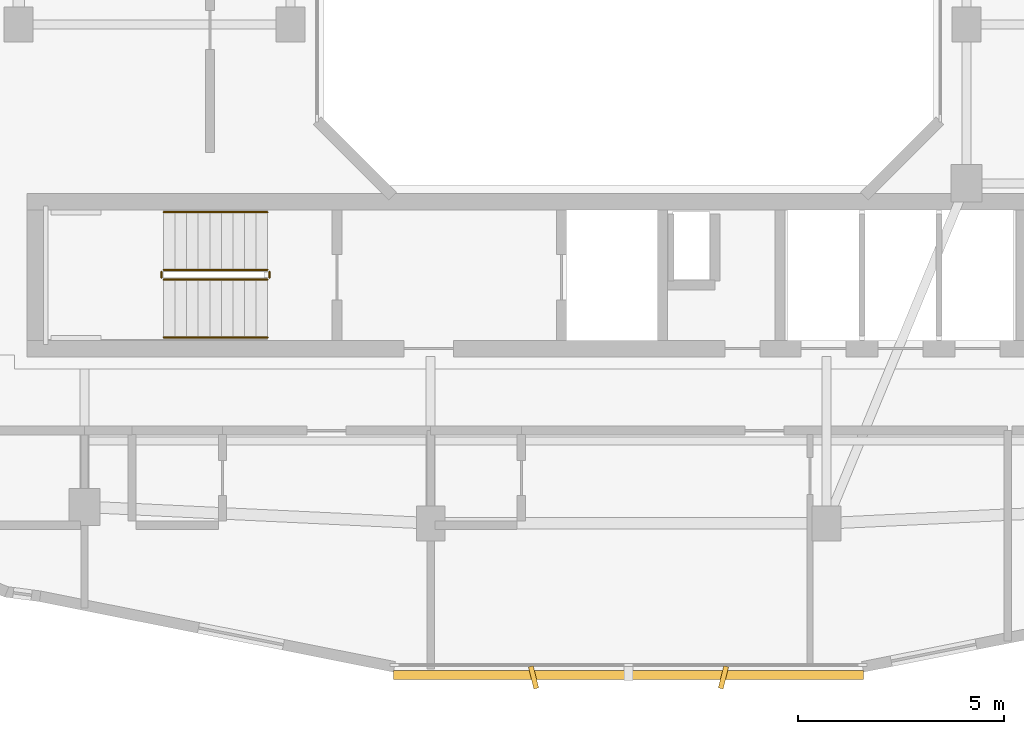
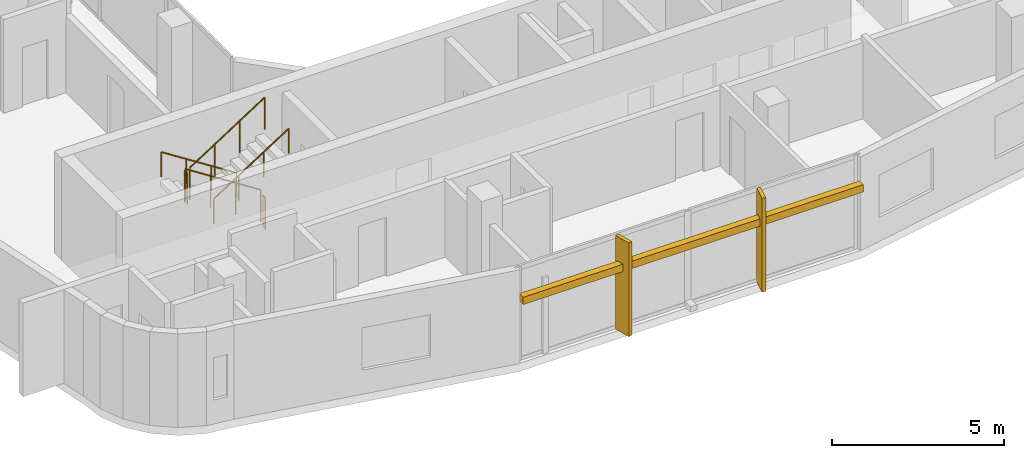
# One storey, part 11 of 14: 6 railings, 3 shading devices.
"""IFC4 building model written with IfcOpenShell, lengths in metres."""

from ifc_helpers import new_model, si_unit, derived_unit, direction, frame, origin, origin_2d, place, context, subcontext, project, spatial, rectangle, circle, extrude, material, type_object, element, save


model = new_model("IFC4")

# Units and contexts
model_context = context("Model", 3, precision=1e-05, world=origin(), true_north=direction((0.0, 1.0)))
body_context = subcontext(model_context, "Body", "Model", "MODEL_VIEW")
ifc_project = project(units=[si_unit("LENGTHUNIT", "METRE"), si_unit("AREAUNIT", "SQUARE_METRE"), si_unit("VOLUMEUNIT", "CUBIC_METRE"), si_unit("PLANEANGLEUNIT", "RADIAN"), si_unit("MASSUNIT", "GRAM", prefix="KILO"), derived_unit("THERMALTRANSMITTANCEUNIT", [(si_unit("POWERUNIT", "WATT"), 1), (si_unit("LENGTHUNIT", "METRE"), -2), (si_unit("THERMODYNAMICTEMPERATUREUNIT", "KELVIN"), -1)])], contexts=[model_context])

# Site, building, storey
site_placement = place(None, origin())
site = spatial("IfcSite", under=ifc_project, at=site_placement, CompositionType="ELEMENT")
building_placement = place(site_placement, origin())
building = spatial("IfcBuilding", under=site, at=building_placement, Name="Kivonza Crest Hotel", CompositionType="ELEMENT")
storey_placement = place(building_placement, frame((0.0, 0.0, 206.300048828125)))
storey = spatial("IfcBuildingStorey", under=building, at=storey_placement, Name="L56", CompositionType="ELEMENT", Elevation=206.300048828125)

# Railings
ifc_material_1 = material(Name="Brushed stainless steel handrail", Category="steel")
railing_type_1 = type_object("IfcRailingType", Name="RL-HAND-900", PredefinedType="HANDRAIL", material=ifc_material_1)
railing_1_placement = place(storey_placement, frame((12.239990234375, 16.949951171875, 0.179931640625)))
element("IfcRailing", 1, at=railing_1_placement, inside=storey, type_object=railing_type_1, Name="L56 ST-T1-S stair handrail 1", PredefinedType="HANDRAIL", context=body_context, shape_type="SweptSolid", body=[
    extrude(circle(Radius=0.02392578125, at=origin_2d()), frame((0.0, 0.0, 0.8759765625), z_axis=(-0.841162588446, 0.0, 0.540782303519), x_axis=(0.0, -1.0, 0.0)), (0.0, 0.0, 1.0), 2.995849609375),
    extrude(circle(Radius=0.02099609375, at=origin_2d()), origin(), (0.0, 0.0, 1.0), 0.851806640625),
    extrude(circle(Radius=0.02099609375, at=origin_2d()), frame((-0.840087890625, 0.0, 0.5400390625)), (0.0, 0.0, 1.0), 0.851806640625),
    extrude(circle(Radius=0.02099609375, at=origin_2d()), frame((-1.679931640625, 0.0, 1.080078125)), (0.0, 0.0, 1.0), 0.851806640625),
    extrude(circle(Radius=0.02099609375, at=origin_2d()), frame((-2.52001953125, 0.0, 1.6201171875)), (0.0, 0.0, 1.0), 0.851806640625),
])
railing_2_placement = place(storey_placement, frame((9.719970703125, 13.909912109375, 1.97998046875)))
element("IfcRailing", 2, at=railing_2_placement, inside=storey, type_object=railing_type_1, Name="L56 ST-T1-S stair handrail 2", PredefinedType="HANDRAIL", context=body_context, shape_type="SweptSolid", body=[
    extrude(circle(Radius=0.02392578125, at=origin_2d()), frame((0.0, 0.0, 0.8759765625), z_axis=(0.841199657755, 0.0, 0.540724639528), x_axis=(0.0, 1.0, 0.0)), (0.0, 0.0, 1.0), 2.995849609375),
    extrude(circle(Radius=0.02099609375, at=origin_2d()), origin(), (0.0, 0.0, 1.0), 0.851806640625),
    extrude(circle(Radius=0.02099609375, at=origin_2d()), frame((0.840087890625, 0.0, 0.5400390625)), (0.0, 0.0, 1.0), 0.851806640625),
    extrude(circle(Radius=0.02099609375, at=origin_2d()), frame((1.679931640625, 0.0, 1.079833984375)), (0.0, 0.0, 1.0), 0.851806640625),
    extrude(circle(Radius=0.02099609375, at=origin_2d()), frame((2.52001953125, 0.0, 1.619873046875)), (0.0, 0.0, 1.0), 0.851806640625),
])
ifc_material_2 = material(Name="Painted steel balustrade", Category="steel")
railing_type_2 = type_object("IfcRailingType", Name="RL-STAIR-1150", PredefinedType="BALUSTRADE", material=ifc_material_2)
railing_3_placement = place(storey_placement, frame((12.239990234375, 15.550048828125, 0.179931640625)))
element("IfcRailing", 3, at=railing_3_placement, inside=storey, type_object=railing_type_2, Name="L56 ST-T1-S stair guard 1", PredefinedType="BALUSTRADE", context=body_context, shape_type="SweptSolid", body=[
    extrude(circle(Radius=0.02392578125, at=origin_2d()), frame((0.0, 0.0, 1.1259765625), z_axis=(-0.841162588446, 0.0, 0.540782303519), x_axis=(0.0, -1.0, 0.0)), (0.0, 0.0, 1.0), 2.995849609375),
    extrude(circle(Radius=0.02099609375, at=origin_2d()), origin(), (0.0, 0.0, 1.0), 1.101806640625),
    extrude(circle(Radius=0.02099609375, at=origin_2d()), frame((-0.840087890625, 0.0, 0.5400390625)), (0.0, 0.0, 1.0), 1.101806640625),
    extrude(circle(Radius=0.02099609375, at=origin_2d()), frame((-1.679931640625, 0.0, 1.080078125)), (0.0, 0.0, 1.0), 1.101806640625),
    extrude(circle(Radius=0.02099609375, at=origin_2d()), frame((-2.52001953125, 0.0, 1.6201171875)), (0.0, 0.0, 1.0), 1.101806640625),
])
railing_4_placement = place(storey_placement, frame((9.669921875, 15.5, 1.800048828125)))
element("IfcRailing", 4, at=railing_4_placement, inside=storey, type_object=railing_type_2, Name="L56 ST-T1-S stair guard 2", PredefinedType="BALUSTRADE", context=body_context, shape_type="SweptSolid", body=[
    extrude(circle(Radius=0.02392578125, at=origin_2d()), frame((0.0, 0.0, 1.1259765625), z_axis=(0.0, -1.0, 0.0), x_axis=(1.0, 0.0, 0.0)), (0.0, 0.0, 1.0), 0.139892578125),
    extrude(circle(Radius=0.02099609375, at=origin_2d()), origin(), (0.0, 0.0, 1.0), 1.101806640625),
    extrude(circle(Radius=0.02099609375, at=origin_2d()), frame((0.0, -0.139892578125, 0.0)), (0.0, 0.0, 1.0), 1.101806640625),
])
railing_5_placement = place(storey_placement, frame((9.719970703125, 15.31005859375, 1.97998046875)))
element("IfcRailing", 5, at=railing_5_placement, inside=storey, type_object=railing_type_2, Name="L56 ST-T1-S stair guard 3", PredefinedType="BALUSTRADE", context=body_context, shape_type="SweptSolid", body=[
    extrude(circle(Radius=0.02392578125, at=origin_2d()), frame((0.0, 0.0, 1.1259765625), z_axis=(0.841199657755, 0.0, 0.540724639528), x_axis=(0.0, 1.0, 0.0)), (0.0, 0.0, 1.0), 2.995849609375),
    extrude(circle(Radius=0.02099609375, at=origin_2d()), origin(), (0.0, 0.0, 1.0), 1.101806640625),
    extrude(circle(Radius=0.02099609375, at=origin_2d()), frame((0.840087890625, 0.0, 0.5400390625)), (0.0, 0.0, 1.0), 1.101806640625),
    extrude(circle(Radius=0.02099609375, at=origin_2d()), frame((1.679931640625, 0.0, 1.079833984375)), (0.0, 0.0, 1.0), 1.101806640625),
    extrude(circle(Radius=0.02099609375, at=origin_2d()), frame((2.52001953125, 0.0, 1.619873046875)), (0.0, 0.0, 1.0), 1.101806640625),
])
railing_6_placement = place(storey_placement, frame((12.2900390625, 15.5, 0.0)))
element("IfcRailing", 6, at=railing_6_placement, inside=storey, type_object=railing_type_2, Name="L56 ST-T1-S stair guard 4", PredefinedType="BALUSTRADE", context=body_context, shape_type="SweptSolid", body=[
    extrude(circle(Radius=0.02392578125, at=origin_2d()), frame((0.0, 0.0, 1.1259765625), z_axis=(0.0, -1.0, 0.0), x_axis=(1.0, 0.0, 0.0)), (0.0, 0.0, 1.0), 0.139892578125),
    extrude(circle(Radius=0.02099609375, at=origin_2d()), origin(), (0.0, 0.0, 1.0), 1.101806640625),
    extrude(circle(Radius=0.02099609375, at=origin_2d()), frame((0.0, -0.139892578125, 0.0)), (0.0, 0.0, 1.0), 1.101806640625),
])

# Shading devices
ifc_material_3 = material(Name="Kiln-fired Nairobi red-ochre terracotta", Category="masonry")
shading_device_type_1 = type_object("IfcShadingDeviceType", Name="SH-BAGUETTE-300", PredefinedType="USERDEFINED", material=ifc_material_3)
shading_device_placement = place(storey_placement, frame((21.0, 5.719970703125, 2.19384765625), z_axis=(0.0, 0.0, 1.0), x_axis=(1.0, 0.0, 0.0)))
element("IfcShadingDevice", 7, at=shading_device_placement, inside=storey, type_object=shading_device_type_1, Name="L56 terracotta baguette screen CW-T1-L56-08", ObjectType="BAGUETTE", PredefinedType="USERDEFINED", context=body_context, shape_type="SweptSolid", body=[
    extrude(rectangle(XDim=11.39990234375, YDim=0.219970703125, at=origin_2d()), origin(), (0.0, 0.0, 1.0), 0.260009765625),
])
ifc_material_4 = material(Name="Kiln-fired terracotta over extruded aluminium spine", Category="masonry")
shading_device_type_2 = type_object("IfcShadingDeviceType", Name="SH-FIN-550", PredefinedType="USERDEFINED", material=ifc_material_4)
for number, where, z_axis, x_axis, name in (
    (8, (18.696044921875, 5.659912109375, 0.0), (0.0, 0.0, 1.0), (0.970295726276, 0.2419218956, 0.0), "L56 vertical solar shading fin CW-T1-L56-08-1"),
    (9, (23.303955078125, 5.659912109375, 0.0), (0.0, 0.0, 1.0), (0.970295726276, -0.2419218956, 0.0), "L56 vertical solar shading fin CW-T1-L56-08-2"),
):
    element("IfcShadingDevice", number, at=place(storey_placement, frame(where, z_axis=z_axis, x_axis=x_axis)), inside=storey, type_object=shading_device_type_2, Name=name, ObjectType="FIN", PredefinedType="USERDEFINED", context=body_context, shape_type="SweptSolid", body=[
        extrude(rectangle(XDim=0.1201171875, YDim=0.550048828125, at=origin_2d()), origin(), (0.0, 0.0, 1.0), 3.320068359375),
    ])

save(model, "model.ifc")
